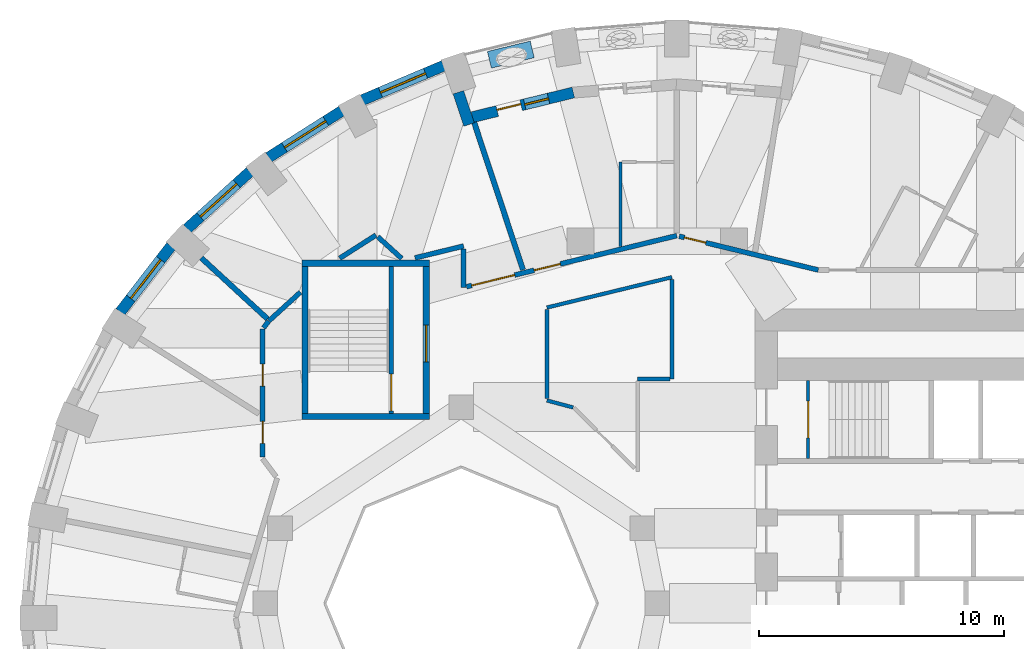
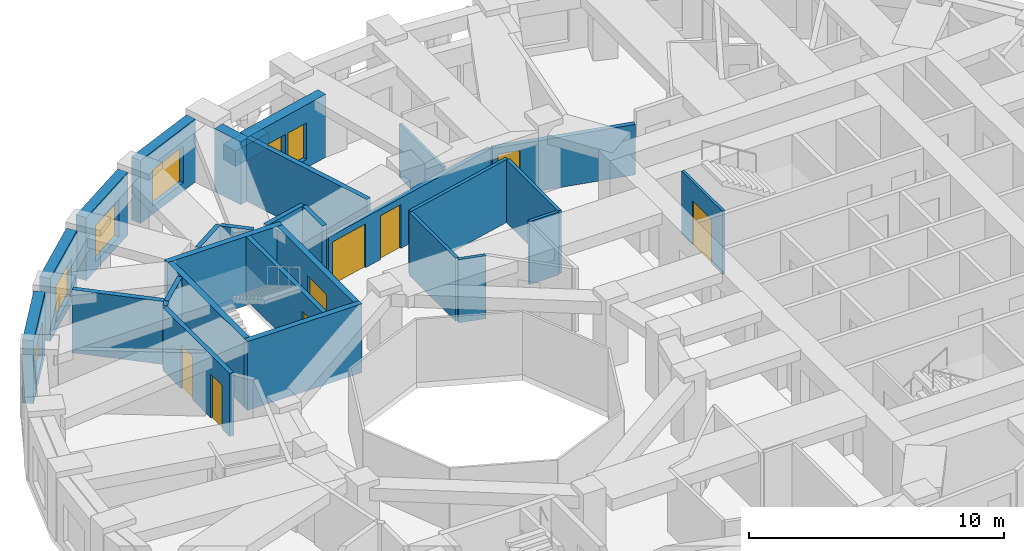
# One storey, part 7 of 12: 30 walls, 9 doors, 5 windows, 14 openings.
"""IFC4 building model written with IfcOpenShell, lengths in metres."""

from ifc_helpers import new_model, si_unit, direction, frame, frame_2d, origin, place, context, subcontext, project, spatial, rectangle, extrude, material, layer, layer_set, constituent, constituent_set, type_object, element, fill, save


model = new_model("IFC4")

# Units and contexts
model_context = context("Model", 3, precision=1e-05, world=origin(), true_north=direction((0.0, 1.0)))
body_context = subcontext(model_context, "Body", "Model", "MODEL_VIEW")
ifc_project = project(units=[si_unit("LENGTHUNIT", "METRE"), si_unit("AREAUNIT", "SQUARE_METRE"), si_unit("VOLUMEUNIT", "CUBIC_METRE"), si_unit("PLANEANGLEUNIT", "RADIAN"), si_unit("MASSUNIT", "GRAM", prefix="KILO")], contexts=[model_context])

# Site, building, storey
site_placement = place(None, origin())
site = spatial("IfcSite", under=ifc_project, at=site_placement, CompositionType="ELEMENT")
building_placement = place(site_placement, origin())
building = spatial("IfcBuilding", under=site, at=building_placement, Name="Taillehof Tower", CompositionType="ELEMENT")
storey_placement = place(building_placement, frame((0.0, 0.0, 92.199951171875)))
storey = spatial("IfcBuildingStorey", under=building, at=storey_placement, Name="L25", CompositionType="ELEMENT", Elevation=92.199951171875)

# Wall, opening, window
ifc_material_1 = material(Name="Brick masonry", Category="masonry")
ifc_layer_1 = layer(ifc_material_1, 0.449951171875)
ifc_layer_set_1 = layer_set([ifc_layer_1], Name="Brick infill wall 450")
wall_type_1 = type_object("IfcWallType", Name="Brick infill wall 450", PredefinedType="SOLIDWALL", material=ifc_layer_set_1)
wall_1_placement = place(storey_placement, frame((-8.718017578125, 21.93359375, 0.0), z_axis=(0.0, 0.0, 1.0), x_axis=(-0.920879975612, -0.389846213932, 0.0)))
wall_1 = element("IfcWall", 1, at=wall_1_placement, inside=storey, type_object=wall_type_1, Name="Brick wall L25 bay 12", PredefinedType="SOLIDWALL", context=body_context, shape_type="SweptSolid", body=[
    extrude(rectangle(XDim=3.591552734375, YDim=0.449951171875, at=frame_2d((1.7958984375, 0.0))), origin(), (0.0, 0.0, 1.0), 3.02001953125),
])
opening_1_placement = place(wall_1_placement, frame((0.795654296875, 0.0, 0.39990234375)))
opening_1 = element("IfcOpeningElement", 2, at=opening_1_placement, cuts=wall_1, Name="Opening W2", PredefinedType="OPENING", context=body_context, shape_type="SweptSolid", body=[
    extrude(rectangle(XDim=2.0, YDim=1.75, at=frame_2d((1.0, 0.875))), frame((0.0, 0.23486328125, 0.0), z_axis=(0.0, -1.0, 0.0), x_axis=(1.0, 0.0, 0.0)), (0.0, 0.0, 1.0), 0.469970703125),
])
ifc_material_2 = material(Name="Aluminium window frame with clear double glazing", Category="aluminium")
window_type_1 = type_object("IfcWindowType", Name="Deep-set window 2000x1750", PartitioningType="SINGLE_PANEL", PredefinedType="WINDOW", material=ifc_material_2)
window_1_placement = place(opening_1_placement, origin())
window_1 = element("IfcWindow", 3, at=window_1_placement, inside=storey, type_object=window_type_1, Name="W2", OverallHeight=1.75, OverallWidth=2.0, PartitioningType="SINGLE_PANEL", PredefinedType="WINDOW", context=body_context, shape_type="SweptSolid", body=[
    extrude(rectangle(XDim=2.0, YDim=1.75, at=frame_2d((1.0, 0.875))), frame((0.0, 0.034912109375, 0.0), z_axis=(0.0, -1.0, 0.0), x_axis=(1.0, 0.0, 0.0)), (0.0, 0.0, 1.0), 0.06005859375),
])
fill(opening_1, window_1)

wall_2_placement = place(storey_placement, frame((-12.87548828125, 20.087158203125, 0.0), z_axis=(0.0, 0.0, 1.0), x_axis=(-0.843860651879, -0.536562391722, 0.0)))
wall_2 = element("IfcWall", 4, at=wall_2_placement, inside=storey, type_object=wall_type_1, Name="Brick wall L25 bay 13", PredefinedType="SOLIDWALL", context=body_context, shape_type="SweptSolid", body=[
    extrude(rectangle(XDim=3.5322265625, YDim=0.449951171875, at=frame_2d((1.76611328125, 0.0))), origin(), (0.0, 0.0, 1.0), 3.02001953125),
])
opening_2_placement = place(wall_2_placement, frame((0.76611328125, 0.0, 0.39990234375)))
opening_2 = element("IfcOpeningElement", 5, at=opening_2_placement, cuts=wall_2, Name="Opening W2", PredefinedType="OPENING", context=body_context, shape_type="SweptSolid", body=[
    extrude(rectangle(XDim=2.0, YDim=1.75, at=frame_2d((1.0, 0.875))), frame((0.0, 0.23486328125, 0.0), z_axis=(0.0, -1.0, 0.0), x_axis=(1.0, 0.0, 0.0)), (0.0, 0.0, 1.0), 0.469970703125),
])
window_2_placement = place(opening_2_placement, origin())
window_2 = element("IfcWindow", 6, at=window_2_placement, inside=storey, type_object=window_type_1, Name="W2", OverallHeight=1.75, OverallWidth=2.0, PartitioningType="SINGLE_PANEL", PredefinedType="WINDOW", context=body_context, shape_type="SweptSolid", body=[
    extrude(rectangle(XDim=2.0, YDim=1.75, at=frame_2d((1.0, 0.875))), frame((0.0, 0.034912109375, 0.0), z_axis=(0.0, -1.0, 0.0), x_axis=(1.0, 0.0, 0.0)), (0.0, 0.0, 1.0), 0.06005859375),
])
fill(opening_2, window_2)

wall_3_placement = place(storey_placement, frame((-16.61962890625, 17.609619140625, 0.0), z_axis=(0.0, 0.0, 1.0), x_axis=(-0.74032902847, -0.672244694739, 0.0)))
wall_3 = element("IfcWall", 7, at=wall_3_placement, inside=storey, type_object=wall_type_1, Name="Brick wall L25 bay 14", PredefinedType="SOLIDWALL", context=body_context, shape_type="SweptSolid", body=[
    extrude(rectangle(XDim=3.4638671875, YDim=0.449951171875, at=frame_2d((1.73193359375, 0.0))), origin(), (0.0, 0.0, 1.0), 3.02001953125),
])
opening_3_placement = place(wall_3_placement, frame((0.73193359375, 0.0, 0.39990234375)))
opening_3 = element("IfcOpeningElement", 8, at=opening_3_placement, cuts=wall_3, Name="Opening W2", PredefinedType="OPENING", context=body_context, shape_type="SweptSolid", body=[
    extrude(rectangle(XDim=2.0, YDim=1.75, at=frame_2d((1.0, 0.875))), frame((0.0, 0.23486328125, 0.0), z_axis=(0.0, -1.0, 0.0), x_axis=(1.0, 0.0, 0.0)), (0.0, 0.0, 1.0), 0.469970703125),
])
window_3_placement = place(opening_3_placement, origin())
window_3 = element("IfcWindow", 9, at=window_3_placement, inside=storey, type_object=window_type_1, Name="W2", OverallHeight=1.75, OverallWidth=2.0, PartitioningType="SINGLE_PANEL", PredefinedType="WINDOW", context=body_context, shape_type="SweptSolid", body=[
    extrude(rectangle(XDim=2.0, YDim=1.75, at=frame_2d((1.0, 0.875))), frame((0.0, 0.034912109375, 0.0), z_axis=(0.0, -1.0, 0.0), x_axis=(1.0, 0.0, 0.0)), (0.0, 0.0, 1.0), 0.06005859375),
])
fill(opening_3, window_3)

wall_4_placement = place(storey_placement, frame((-19.835205078125, 14.575439453125, 0.0), z_axis=(0.0, 0.0, 1.0), x_axis=(-0.610693945156, -0.791866721961, 0.0)))
wall_4 = element("IfcWall", 10, at=wall_4_placement, inside=storey, type_object=wall_type_1, Name="Brick wall L25 bay 15", PredefinedType="SOLIDWALL", context=body_context, shape_type="SweptSolid", body=[
    extrude(rectangle(XDim=3.39453125, YDim=0.449951171875, at=frame_2d((1.697265625, 0.0))), origin(), (0.0, 0.0, 1.0), 3.02001953125),
])
opening_4_placement = place(wall_4_placement, frame((0.697265625, 0.0, 0.39990234375)))
opening_4 = element("IfcOpeningElement", 11, at=opening_4_placement, cuts=wall_4, Name="Opening W2", PredefinedType="OPENING", context=body_context, shape_type="SweptSolid", body=[
    extrude(rectangle(XDim=2.0, YDim=1.75, at=frame_2d((1.0, 0.875))), frame((0.0, 0.23486328125, 0.0), z_axis=(0.0, -1.0, 0.0), x_axis=(1.0, 0.0, 0.0)), (0.0, 0.0, 1.0), 0.469970703125),
])
window_4_placement = place(opening_4_placement, origin())
window_4 = element("IfcWindow", 12, at=window_4_placement, inside=storey, type_object=window_type_1, Name="W2", OverallHeight=1.75, OverallWidth=2.0, PartitioningType="SINGLE_PANEL", PredefinedType="WINDOW", context=body_context, shape_type="SweptSolid", body=[
    extrude(rectangle(XDim=2.0, YDim=1.75, at=frame_2d((1.0, 0.875))), frame((0.0, 0.034912109375, 0.0), z_axis=(0.0, -1.0, 0.0), x_axis=(1.0, 0.0, 0.0)), (0.0, 0.0, 1.0), 0.06005859375),
])
fill(opening_4, window_4)

# Wall
wall_5_placement = place(storey_placement, frame((-8.1142578125, 20.853271484375, 0.0), z_axis=(0.0, 0.0, 1.0), x_axis=(0.314488854508, -0.949261165534, 0.0)))
element("IfcWall", 13, at=wall_5_placement, inside=storey, type_object=wall_type_1, Name="Brick reveal L25 pocket 2", PredefinedType="SOLIDWALL", context=body_context, shape_type="SweptSolid", body=[
    extrude(rectangle(XDim=1.390380859375, YDim=0.449951171875, at=frame_2d((0.6953125, 0.0))), origin(), (0.0, 0.0, 1.0), 3.02001953125),
])

# Wall, openings, door, window
wall_6_placement = place(storey_placement, frame((-3.419921875, 20.841064453125, 0.0), z_axis=(0.0, 0.0, 1.0), x_axis=(-0.971511611373, -0.23699195971, 0.0)))
wall_6 = element("IfcWall", 14, at=wall_6_placement, inside=storey, type_object=wall_type_1, Name="Brick wall L25 pocket bay 11", PredefinedType="SOLIDWALL", context=body_context, shape_type="SweptSolid", body=[
    extrude(rectangle(XDim=4.2412109375, YDim=0.449951171875, at=frame_2d((2.12060546875, 0.0))), origin(), (0.0, 0.0, 1.0), 3.02001953125),
])
opening_5_placement = place(wall_6_placement, frame((1.04541015625, 0.0, 0.39990234375)))
opening_5 = element("IfcOpeningElement", 15, at=opening_5_placement, cuts=wall_6, Name="Opening W5", PredefinedType="OPENING", context=body_context, shape_type="SweptSolid", body=[
    extrude(rectangle(XDim=1.0, YDim=1.75, at=frame_2d((0.5, 0.875))), frame((0.0, 0.23486328125, 0.0), z_axis=(0.0, -1.0, 0.0), x_axis=(1.0, 0.0, 0.0)), (0.0, 0.0, 1.0), 0.469970703125),
])
opening_6_placement = place(wall_6_placement, frame((2.195556640625, 0.0, 0.0)))
opening_6 = element("IfcOpeningElement", 16, at=opening_6_placement, cuts=wall_6, Name="Opening D2596", PredefinedType="OPENING", context=body_context, shape_type="SweptSolid", body=[
    extrude(rectangle(XDim=1.0, YDim=2.14990234375, at=frame_2d((0.5, 1.074951171875))), frame((0.0, 0.23486328125, 0.0), z_axis=(0.0, -1.0, 0.0), x_axis=(1.0, 0.0, 0.0)), (0.0, 0.0, 1.0), 0.469970703125),
])
ifc_material_3 = material(Name="Aluminium door frame with clear double glazing", Category="aluminium")
door_type_1 = type_object("IfcDoorType", Name="Balcony door 1000x2150", OperationType="SINGLE_SWING_RIGHT", PredefinedType="DOOR", material=ifc_material_3)
door_1_placement = place(opening_6_placement, frame((1.0, 0.0, 0.0), z_axis=(0.0, 0.0, 1.0), x_axis=(-1.0, 0.0, 0.0)))
door_1 = element("IfcDoor", 17, at=door_1_placement, inside=storey, type_object=door_type_1, Name="Balcony door L25 bay 11", OperationType="SINGLE_SWING_LEFT", OverallHeight=2.14990234375, OverallWidth=1.0, PredefinedType="DOOR", context=body_context, shape_type="SweptSolid", body=[
    extrude(rectangle(XDim=1.0, YDim=2.14990234375, at=frame_2d((0.5, 1.074951171875))), frame((0.0, 0.0751953125, 0.0), z_axis=(0.0, -1.0, 0.0), x_axis=(1.0, 0.0, 0.0)), (0.0, 0.0, 1.0), 0.050048828125),
])
fill(opening_6, door_1)
ifc_material_4 = material(Name="Aluminium window frame with clear double glazing", Category="aluminium")
window_type_2 = type_object("IfcWindowType", Name="Fixed window 1000x1750", PartitioningType="SINGLE_PANEL", PredefinedType="WINDOW", material=ifc_material_4)
window_5_placement = place(opening_5_placement, origin())
window_5 = element("IfcWindow", 18, at=window_5_placement, inside=storey, type_object=window_type_2, Name="W5", OverallHeight=1.75, OverallWidth=1.0, PartitioningType="SINGLE_PANEL", PredefinedType="WINDOW", context=body_context, shape_type="SweptSolid", body=[
    extrude(rectangle(XDim=1.0, YDim=1.75, at=frame_2d((0.5, 0.875))), frame((0.0, 0.034912109375, 0.0), z_axis=(0.0, -1.0, 0.0), x_axis=(1.0, 0.0, 0.0)), (0.0, 0.0, 1.0), 0.06005859375),
])
fill(opening_5, window_5)

# Wall, openings, doors
ifc_material_5 = material(Name="Gypsum board on steel studs, two layers each side", Category="steel")
ifc_layer_2 = layer(ifc_material_5, 0.199951171875)
ifc_layer_set_2 = layer_set([ifc_layer_2], Name="Compartment wall corridor 200")
wall_type_2 = type_object("IfcWallType", Name="Compartment wall corridor 200", PredefinedType="PARTITIONING", material=ifc_layer_set_2)
wall_7_placement = place(storey_placement, frame((-16.10009765625, 5.9599609375, 0.0), z_axis=(0.0, 0.0, 1.0), x_axis=(0.0, 1.0, 0.0)))
wall_7 = element("IfcWall", 19, at=wall_7_placement, inside=storey, type_object=wall_type_2, Name="Compartment wall", PredefinedType="PARTITIONING", context=body_context, shape_type="SweptSolid", body=[
    extrude(rectangle(XDim=5.232177734375, YDim=0.199951171875, at=frame_2d((2.6162109375, 0.0))), origin(), (0.0, 0.0, 1.0), 3.02001953125),
])
opening_7_placement = place(wall_7_placement, frame((2.896728515625, 0.0, 0.0)))
opening_7 = element("IfcOpeningElement", 20, at=opening_7_placement, cuts=wall_7, Name="Opening D2548", PredefinedType="OPENING", context=body_context, shape_type="SweptSolid", body=[
    extrude(rectangle(XDim=0.89990234375, YDim=2.10009765625, at=frame_2d((0.449951171875, 1.050048828125))), frame((0.0, 0.10986328125, 0.0), z_axis=(0.0, -1.0, 0.0), x_axis=(1.0, 0.0, 0.0)), (0.0, 0.0, 1.0), 0.219970703125),
])
opening_8_placement = place(wall_7_placement, frame((0.567626953125, 0.0, 0.0)))
opening_8 = element("IfcOpeningElement", 21, at=opening_8_placement, cuts=wall_7, Name="Opening D2549", PredefinedType="OPENING", context=body_context, shape_type="SweptSolid", body=[
    extrude(rectangle(XDim=0.89990234375, YDim=2.10009765625, at=frame_2d((0.449951171875, 1.050048828125))), frame((0.0, 0.10986328125, 0.0), z_axis=(0.0, -1.0, 0.0), x_axis=(1.0, 0.0, 0.0)), (0.0, 0.0, 1.0), 0.219970703125),
])
ifc_material_6 = material(Name="Timber door leaf in steel frame", Category="steel")
door_type_2 = type_object("IfcDoorType", Name="Service room door EI 30 900 x 2100", OperationType="SINGLE_SWING_LEFT", PredefinedType="DOOR", material=ifc_material_6)
door_2_placement = place(opening_7_placement, origin())
door_2 = element("IfcDoor", 22, at=door_2_placement, inside=storey, type_object=door_type_2, Name="D2548", OperationType="SINGLE_SWING_LEFT", OverallHeight=2.10009765625, OverallWidth=0.89990234375, PredefinedType="DOOR", context=body_context, shape_type="SweptSolid", body=[
    extrude(rectangle(XDim=0.89990234375, YDim=2.10009765625, at=frame_2d((0.449951171875, 1.050048828125))), frame((0.0, 0.02490234375, 0.0), z_axis=(0.0, -1.0, 0.0), x_axis=(1.0, 0.0, 0.0)), (0.0, 0.0, 1.0), 0.050048828125),
])
fill(opening_7, door_2)
door_3_placement = place(opening_8_placement, origin())
door_3 = element("IfcDoor", 23, at=door_3_placement, inside=storey, type_object=door_type_2, Name="D2549", OperationType="SINGLE_SWING_RIGHT", OverallHeight=2.10009765625, OverallWidth=0.89990234375, PredefinedType="DOOR", context=body_context, shape_type="SweptSolid", body=[
    extrude(rectangle(XDim=0.89990234375, YDim=2.10009765625, at=frame_2d((0.449951171875, 1.050048828125))), frame((0.0, 0.02490234375, 0.0), z_axis=(0.0, -1.0, 0.0), x_axis=(1.0, 0.0, 0.0)), (0.0, 0.0, 1.0), 0.050048828125),
])
fill(opening_8, door_3)

# Walls
wall_8_placement = place(storey_placement, frame((-16.0634765625, 11.23974609375, 0.0), z_axis=(0.0, 0.0, 1.0), x_axis=(0.609744747854, 0.792597844096, 0.0)))
element("IfcWall", 24, at=wall_8_placement, inside=storey, type_object=wall_type_2, Name="Compartment wall", PredefinedType="PARTITIONING", context=body_context, shape_type="SweptSolid", body=[
    extrude(rectangle(XDim=0.34716796875, YDim=0.199951171875, at=frame_2d((0.173583984375, 0.0))), origin(), (0.0, 0.0, 1.0), 3.02001953125),
])
wall_9_placement = place(storey_placement, frame((-15.8369140625, 11.5283203125, 0.0), z_axis=(0.0, 0.0, 1.0), x_axis=(0.739402681643, 0.673263450946, 0.0)))
element("IfcWall", 25, at=wall_9_placement, inside=storey, type_object=wall_type_2, Name="Compartment wall", PredefinedType="PARTITIONING", context=body_context, shape_type="SweptSolid", body=[
    extrude(rectangle(XDim=1.7275390625, YDim=0.199951171875, at=frame_2d((0.86376953125, 0.0))), origin(), (0.0, 0.0, 1.0), 3.02001953125),
])
wall_10_placement = place(storey_placement, frame((-12.957275390625, 14.0771484375, 0.0), z_axis=(0.0, 0.0, 1.0), x_axis=(0.843226410818, 0.537558573645, 0.0)))
element("IfcWall", 26, at=wall_10_placement, inside=storey, type_object=wall_type_2, Name="Compartment wall", PredefinedType="PARTITIONING", context=body_context, shape_type="SweptSolid", body=[
    extrude(rectangle(XDim=1.757080078125, YDim=0.199951171875, at=frame_2d((0.87841796875, 0.0))), origin(), (0.0, 0.0, 1.0), 3.02001953125),
])
wall_11_placement = place(storey_placement, frame((-11.401123046875, 14.95458984375, 0.0), z_axis=(0.0, 0.0, 1.0), x_axis=(0.740594498135, -0.671952222507, 0.0)))
element("IfcWall", 27, at=wall_11_placement, inside=storey, type_object=wall_type_2, Name="Compartment wall", PredefinedType="PARTITIONING", context=body_context, shape_type="SweptSolid", body=[
    extrude(rectangle(XDim=1.31591796875, YDim=0.199951171875, at=frame_2d((0.657958984375, 0.0))), origin(), (0.0, 0.0, 1.0), 3.02001953125),
])
wall_12_placement = place(storey_placement, frame((-9.883544921875, 14.092041015625, 0.0), z_axis=(0.0, 0.0, 1.0), x_axis=(0.971512281799, 0.236989211388, 0.0)))
element("IfcWall", 28, at=wall_12_placement, inside=storey, type_object=wall_type_2, Name="Compartment wall", PredefinedType="PARTITIONING", context=body_context, shape_type="SweptSolid", body=[
    extrude(rectangle(XDim=2.041748046875, YDim=0.199951171875, at=frame_2d((1.02099609375, 0.0))), origin(), (0.0, 0.0, 1.0), 3.02001953125),
])
wall_13_placement = place(storey_placement, frame((-7.89990234375, 14.455810546875, 0.0), z_axis=(0.0, 0.0, 1.0), x_axis=(0.0, -1.0, 0.0)))
element("IfcWall", 29, at=wall_13_placement, inside=storey, type_object=wall_type_2, Name="Compartment wall", PredefinedType="PARTITIONING", context=body_context, shape_type="SweptSolid", body=[
    extrude(rectangle(XDim=1.5673828125, YDim=0.199951171875, at=frame_2d((0.78369140625, 0.0))), origin(), (0.0, 0.0, 1.0), 3.02001953125),
])

# Wall, openings, doors
wall_14_placement = place(storey_placement, frame((-7.78271484375, 12.916259765625, 0.0), z_axis=(0.0, 0.0, 1.0), x_axis=(0.971770455305, 0.235928341232, 0.0)))
wall_14 = element("IfcWall", 30, at=wall_14_placement, inside=storey, type_object=wall_type_2, Name="Compartment wall", PredefinedType="PARTITIONING", context=body_context, shape_type="SweptSolid", body=[
    extrude(rectangle(XDim=8.83203125, YDim=0.199951171875, at=frame_2d((4.416015625, 0.0))), origin(), (0.0, 0.0, 1.0), 2.420166015625),
])
opening_9_placement = place(wall_14_placement, frame((2.840087890625, 0.0, 0.0)))
opening_9 = element("IfcOpeningElement", 31, at=opening_9_placement, cuts=wall_14, Name="Opening D2545", PredefinedType="OPENING", context=body_context, shape_type="SweptSolid", body=[
    extrude(rectangle(XDim=1.10009765625, YDim=2.10009765625, at=frame_2d((0.550048828125, 1.050048828125))), frame((0.0, 0.10986328125, 0.0), z_axis=(0.0, -1.0, 0.0), x_axis=(1.0, 0.0, 0.0)), (0.0, 0.0, 1.0), 0.219970703125),
])
opening_10_placement = place(wall_14_placement, frame((0.219970703125, 0.0, 0.0)))
opening_10 = element("IfcOpeningElement", 32, at=opening_10_placement, cuts=wall_14, Name="Opening D2547", PredefinedType="OPENING", context=body_context, shape_type="SweptSolid", body=[
    extrude(rectangle(XDim=1.800048828125, YDim=2.10009765625, at=frame_2d((0.89990234375, 1.050048828125))), frame((0.0, 0.10986328125, 0.0), z_axis=(0.0, -1.0, 0.0), x_axis=(1.0, 0.0, 0.0)), (0.0, 0.0, 1.0), 0.219970703125),
])
ifc_material_7 = material(Name="Timber door leaf in steel frame", Category="steel")
door_type_3 = type_object("IfcDoorType", Name="Accessible guest room door EI 30 1100 x 2100", OperationType="SINGLE_SWING_LEFT", PredefinedType="DOOR", material=ifc_material_7)
door_4_placement = place(opening_9_placement, origin())
door_4 = element("IfcDoor", 33, at=door_4_placement, inside=storey, type_object=door_type_3, Name="D2545", OperationType="SINGLE_SWING_LEFT", OverallHeight=2.10009765625, OverallWidth=1.10009765625, PredefinedType="DOOR", context=body_context, shape_type="SweptSolid", body=[
    extrude(rectangle(XDim=1.10009765625, YDim=2.10009765625, at=frame_2d((0.550048828125, 1.050048828125))), frame((0.0, 0.02490234375, 0.0), z_axis=(0.0, -1.0, 0.0), x_axis=(1.0, 0.0, 0.0)), (0.0, 0.0, 1.0), 0.050048828125),
])
fill(opening_9, door_4)
ifc_material_8 = material(Name="Timber door leaf in steel frame", Category="steel")
door_type_4 = type_object("IfcDoorType", Name="Lounge and meeting room double door EI 30 1800 x 2100", OperationType="SINGLE_SWING_LEFT", PredefinedType="DOOR", material=ifc_material_8)
door_5_placement = place(opening_10_placement, origin())
door_5 = element("IfcDoor", 34, at=door_5_placement, inside=storey, type_object=door_type_4, Name="D2547", OperationType="DOUBLE_DOOR_SINGLE_SWING", OverallHeight=2.10009765625, OverallWidth=1.800048828125, PredefinedType="DOOR", context=body_context, shape_type="SweptSolid", body=[
    extrude(rectangle(XDim=1.800048828125, YDim=2.10009765625, at=frame_2d((0.89990234375, 1.050048828125))), frame((0.0, 0.02490234375, 0.0), z_axis=(0.0, -1.0, 0.0), x_axis=(1.0, 0.0, 0.0)), (0.0, 0.0, 1.0), 0.050048828125),
])
fill(opening_10, door_5)

# Wall, opening, door
wall_15_placement = place(storey_placement, frame((0.897705078125, 14.976806640625, 0.0), z_axis=(0.0, 0.0, 1.0), x_axis=(0.971773711573, -0.235914928515, 0.0)))
wall_15 = element("IfcWall", 35, at=wall_15_placement, inside=storey, type_object=wall_type_2, Name="Compartment wall", PredefinedType="PARTITIONING", context=body_context, shape_type="SweptSolid", body=[
    extrude(rectangle(XDim=5.835693359375, YDim=0.199951171875, at=frame_2d((2.91796875, 0.0))), origin(), (0.0, 0.0, 1.0), 2.420166015625),
])
opening_11_placement = place(wall_15_placement, frame((0.219970703125, 0.0, 0.0)))
opening_11 = element("IfcOpeningElement", 36, at=opening_11_placement, cuts=wall_15, Name="Opening D2544", PredefinedType="OPENING", context=body_context, shape_type="SweptSolid", body=[
    extrude(rectangle(XDim=0.89990234375, YDim=2.10009765625, at=frame_2d((0.449951171875, 1.050048828125))), frame((0.0, 0.10986328125, 0.0), z_axis=(0.0, -1.0, 0.0), x_axis=(1.0, 0.0, 0.0)), (0.0, 0.0, 1.0), 0.219970703125),
])
door_6_placement = place(opening_11_placement, origin())
door_6 = element("IfcDoor", 37, at=door_6_placement, inside=storey, type_object=door_type_2, Name="D2544", OperationType="SINGLE_SWING_LEFT", OverallHeight=2.10009765625, OverallWidth=0.89990234375, PredefinedType="DOOR", context=body_context, shape_type="SweptSolid", body=[
    extrude(rectangle(XDim=0.89990234375, YDim=2.10009765625, at=frame_2d((0.449951171875, 1.050048828125))), frame((0.0, 0.02490234375, 0.0), z_axis=(0.0, -1.0, 0.0), x_axis=(1.0, 0.0, 0.0)), (0.0, 0.0, 1.0), 0.050048828125),
])
fill(opening_11, door_6)

# Walls
ifc_material_9 = material(Name="Gypsum board on double steel studs with mineral wool", Category="steel")
ifc_layer_3 = layer(ifc_material_9, 0.219970703125)
ifc_layer_set_3 = layer_set([ifc_layer_3], Name="Compartment wall guest room 220")
wall_type_3 = type_object("IfcWallType", Name="Compartment wall guest room 220", PredefinedType="PARTITIONING", material=ifc_layer_set_3)
wall_16_placement = place(storey_placement, frame((-7.46923828125, 19.621826171875, 0.0), z_axis=(0.0, 0.0, 1.0), x_axis=(0.314576080141, -0.94923226336, 0.0)))
element("IfcWall", 38, at=wall_16_placement, inside=storey, type_object=wall_type_3, Name="Compartment wall", PredefinedType="PARTITIONING", context=body_context, shape_type="SweptSolid", body=[
    extrude(rectangle(XDim=6.343017578125, YDim=0.219970703125, at=frame_2d((3.17138671875, 0.0))), origin(), (0.0, 0.0, 1.0), 3.02001953125),
])
wall_17_placement = place(storey_placement, frame((-18.60400390625, 14.09375, 0.0), z_axis=(0.0, 0.0, 1.0), x_axis=(0.73529495628, -0.677747244383, 0.0)))
element("IfcWall", 39, at=wall_17_placement, inside=storey, type_object=wall_type_3, Name="Compartment wall", PredefinedType="PARTITIONING", context=body_context, shape_type="SweptSolid", body=[
    extrude(rectangle(XDim=3.673828125, YDim=0.219970703125, at=frame_2d((1.8369140625, 0.0))), origin(), (0.0, 0.0, 1.0), 3.02001953125),
])
ifc_material_10 = material(Name="Gypsum board on steel studs, two layers each side", Category="steel")
ifc_layer_4 = layer(ifc_material_10, 0.14990234375)
ifc_layer_set_4 = layer_set([ifc_layer_4], Name="Compartment wall service room 150")
wall_type_4 = type_object("IfcWallType", Name="Compartment wall service room 150", PredefinedType="PARTITIONING", material=ifc_layer_set_4)
wall_18_placement = place(storey_placement, frame((-4.5, 12.0673828125, 0.0), z_axis=(0.0, 0.0, 1.0), x_axis=(0.971799407652, 0.23580905684, 0.0)))
element("IfcWall", 40, at=wall_18_placement, inside=storey, type_object=wall_type_4, Name="Compartment wall", PredefinedType="PARTITIONING", context=body_context, shape_type="SweptSolid", body=[
    extrude(rectangle(XDim=5.248046875, YDim=0.14990234375, at=frame_2d((2.6240234375, 0.0))), origin(), (0.0, 0.0, 1.0), 3.02001953125),
])
wall_19_placement = place(storey_placement, frame((0.60009765625, 13.204833984375, 0.0), z_axis=(0.0, 0.0, 1.0), x_axis=(0.0, -1.0, 0.0)))
element("IfcWall", 41, at=wall_19_placement, inside=storey, type_object=wall_type_4, Name="Compartment wall", PredefinedType="PARTITIONING", context=body_context, shape_type="SweptSolid", body=[
    extrude(rectangle(XDim=4.054931640625, YDim=0.14990234375, at=frame_2d((2.02734375, 0.0))), origin(), (0.0, 0.0, 1.0), 3.02001953125),
])
wall_20_placement = place(storey_placement, frame((0.52001953125, 9.14990234375, 0.0), z_axis=(0.0, 0.0, 1.0), x_axis=(-1.0, 0.0, 0.0)))
element("IfcWall", 42, at=wall_20_placement, inside=storey, type_object=wall_type_4, Name="Compartment wall", PredefinedType="PARTITIONING", context=body_context, shape_type="SweptSolid", body=[
    extrude(rectangle(XDim=1.320068359375, YDim=0.14990234375, at=frame_2d((0.66015625, 0.0))), origin(), (0.0, 0.0, 1.0), 3.02001953125),
])
wall_21_placement = place(storey_placement, frame((-3.431640625, 7.98974609375, 0.0), z_axis=(0.0, 0.0, 1.0), x_axis=(-0.965900750832, 0.258912609855, 0.0)))
element("IfcWall", 43, at=wall_21_placement, inside=storey, type_object=wall_type_4, Name="Compartment wall", PredefinedType="PARTITIONING", context=body_context, shape_type="SweptSolid", body=[
    extrude(rectangle(XDim=1.10595703125, YDim=0.14990234375, at=frame_2d((0.552978515625, 0.0))), origin(), (0.0, 0.0, 1.0), 3.02001953125),
])
wall_22_placement = place(storey_placement, frame((-4.5, 8.356201171875, 0.0), z_axis=(0.0, 0.0, 1.0), x_axis=(0.0, 1.0, 0.0)))
element("IfcWall", 44, at=wall_22_placement, inside=storey, type_object=wall_type_4, Name="Compartment wall", PredefinedType="PARTITIONING", context=body_context, shape_type="SweptSolid", body=[
    extrude(rectangle(XDim=3.631103515625, YDim=0.14990234375, at=frame_2d((1.8154296875, 0.0))), origin(), (0.0, 0.0, 1.0), 3.02001953125),
])
ifc_material_11 = material(Name="Gypsum board on steel studs, moisture resistant", Category="steel")
ifc_layer_5 = layer(ifc_material_11, 0.1201171875)
ifc_layer_set_5 = layer_set([ifc_layer_5], Name="En-suite wall 120")
wall_type_5 = type_object("IfcWallType", Name="En-suite wall 120", PredefinedType="PARTITIONING", material=ifc_layer_set_5)
wall_23_placement = place(storey_placement, frame((-1.5, 14.564697265625, 0.0), z_axis=(0.0, 0.0, 1.0), x_axis=(0.0, 1.0, 0.0)))
element("IfcWall", 45, at=wall_23_placement, inside=storey, type_object=wall_type_5, Name="En-suite wall", PredefinedType="PARTITIONING", context=body_context, shape_type="SweptSolid", body=[
    extrude(rectangle(XDim=3.435302734375, YDim=0.1201171875, at=frame_2d((1.7177734375, 0.0))), origin(), (0.0, 0.0, 1.0), 2.570068359375),
])
ifc_material_12 = material(Name="Concrete C30/37 precast", Category="concrete")
ifc_constituent_1 = constituent(ifc_material_12, Name="Structure", Category="concrete")
ifc_material_13 = material(Name="Insulated lining")
ifc_constituent_2 = constituent(ifc_material_13, Name="Lining")
ifc_constituent_set = constituent_set(constituents=[ifc_constituent_1, ifc_constituent_2], Name="Planter trough 700x750")
wall_type_6 = type_object("IfcWallType", Name="Planter trough 700x750", PredefinedType="USERDEFINED", material=ifc_constituent_set)
wall_24_placement = place(storey_placement, frame((-5.098876953125, 22.6005859375, 0.0), z_axis=(0.0, 0.0, 1.0), x_axis=(-0.971654974133, -0.23640349245, 0.0)))
element("IfcWall", 46, at=wall_24_placement, inside=storey, type_object=wall_type_6, Name="Planter L25 bay 11", ObjectType="PLANTER", PredefinedType="USERDEFINED", context=body_context, shape_type="SweptSolid", body=[
    extrude(rectangle(XDim=1.800048828125, YDim=0.699951171875, at=frame_2d((0.89990234375, 0.0))), origin(), (0.0, 0.0, 1.0), 0.75),
])

# Wall, opening, door
ifc_material_14 = material(Name="Concrete C50/60", Category="concrete")
ifc_layer_6 = layer(ifc_material_14, 0.199951171875)
ifc_layer_set_6 = layer_set([ifc_layer_6], Name="Shaft wall C50/60 200")
wall_type_7 = type_object("IfcWallType", Name="Shaft wall C50/60 200", PredefinedType="SHEAR", material=ifc_layer_set_6)
wall_25_placement = place(storey_placement, frame((-10.85009765625, 7.75, 0.0), z_axis=(0.0, 0.0, 1.0), x_axis=(0.0, 1.0, 0.0)))
wall_25 = element("IfcWall", 47, at=wall_25_placement, inside=storey, type_object=wall_type_7, Name="Shaft wall SW", PredefinedType="SHEAR", context=body_context, shape_type="SweptSolid", body=[
    extrude(rectangle(XDim=6.0, YDim=0.199951171875, at=frame_2d((3.0, 0.0))), origin(), (0.0, 0.0, 1.0), 3.02001953125),
])
opening_12_placement = place(wall_25_placement, frame((0.10009765625, 0.0, 0.0)))
opening_12 = element("IfcOpeningElement", 48, at=opening_12_placement, cuts=wall_25, Name="Opening D2512", PredefinedType="OPENING", context=body_context, shape_type="SweptSolid", body=[
    extrude(rectangle(XDim=1.5, YDim=2.10009765625, at=frame_2d((0.75, 1.050048828125))), frame((0.0, 0.10986328125, 0.0), z_axis=(0.0, -1.0, 0.0), x_axis=(1.0, 0.0, 0.0)), (0.0, 0.0, 1.0), 0.219970703125),
])
ifc_material_15 = material(Name="Steel-faced fire door", Category="steel")
door_type_5 = type_object("IfcDoorType", Name="Stair door 1500x2100", OperationType="DOUBLE_DOOR_SINGLE_SWING", PredefinedType="DOOR", material=ifc_material_15)
door_7_placement = place(opening_12_placement, origin())
door_7 = element("IfcDoor", 49, at=door_7_placement, inside=storey, type_object=door_type_5, Name="Stair lobby door S3", OperationType="DOUBLE_DOOR_SINGLE_SWING", OverallHeight=2.10009765625, OverallWidth=1.5, PredefinedType="DOOR", context=body_context, shape_type="SweptSolid", body=[
    extrude(rectangle(XDim=1.5, YDim=2.10009765625, at=frame_2d((0.75, 1.050048828125))), frame((0.0, 0.02490234375, 0.0), z_axis=(0.0, -1.0, 0.0), x_axis=(1.0, 0.0, 0.0)), (0.0, 0.0, 1.0), 0.050048828125),
])
fill(opening_12, door_7)

ifc_material_16 = material(Name="Concrete C50/60", Category="concrete")
ifc_layer_7 = layer(ifc_material_16, 0.1201171875)
ifc_layer_set_7 = layer_set([ifc_layer_7], Name="Stair lobby wall C50/60 120")
wall_type_8 = type_object("IfcWallType", Name="Stair lobby wall C50/60 120", PredefinedType="SHEAR", material=ifc_layer_set_7)
wall_26_placement = place(storey_placement, frame((6.159912109375, 5.89990234375, 0.0), z_axis=(0.0, 0.0, 1.0), x_axis=(0.0, 1.0, 0.0)))
wall_26 = element("IfcWall", 50, at=wall_26_placement, inside=storey, type_object=wall_type_8, Name="Compartment wall SW", PredefinedType="SHEAR", context=body_context, shape_type="SweptSolid", body=[
    extrude(rectangle(XDim=3.2001953125, YDim=0.1201171875, at=frame_2d((1.60009765625, 0.0))), origin(), (0.0, 0.0, 1.0), 3.02001953125),
])
opening_13_placement = place(wall_26_placement, frame((0.85009765625, 0.0, 0.0)))
opening_13 = element("IfcOpeningElement", 51, at=opening_13_placement, cuts=wall_26, Name="Opening D2510", PredefinedType="OPENING", context=body_context, shape_type="SweptSolid", body=[
    extrude(rectangle(XDim=1.5, YDim=2.10009765625, at=frame_2d((0.75, 1.050048828125))), frame((0.0, 0.070068359375, 0.0), z_axis=(0.0, -1.0, 0.0), x_axis=(1.0, 0.0, 0.0)), (0.0, 0.0, 1.0), 0.14013671875),
])
door_8_placement = place(opening_13_placement, origin())
door_8 = element("IfcDoor", 52, at=door_8_placement, inside=storey, type_object=door_type_5, Name="Stair lobby door S1", OperationType="DOUBLE_DOOR_SINGLE_SWING", OverallHeight=2.10009765625, OverallWidth=1.5, PredefinedType="DOOR", context=body_context, shape_type="SweptSolid", body=[
    extrude(rectangle(XDim=1.5, YDim=2.10009765625, at=frame_2d((0.75, 1.050048828125))), frame((0.0, 0.02490234375, 0.0), z_axis=(0.0, -1.0, 0.0), x_axis=(1.0, 0.0, 0.0)), (0.0, 0.0, 1.0), 0.050048828125),
])
fill(opening_13, door_8)

# Wall
ifc_material_17 = material(Name="Concrete C50/60", Category="concrete")
ifc_layer_8 = layer(ifc_material_17, 0.25)
ifc_layer_set_8 = layer_set([ifc_layer_8], Name="Stair wall C50/60 250")
wall_type_9 = type_object("IfcWallType", Name="Stair wall C50/60 250", PredefinedType="SHEAR", material=ifc_layer_set_8)
wall_27_placement = place(storey_placement, frame((-14.375, 7.75, -0.280029296875), z_axis=(0.0, 0.0, 1.0), x_axis=(0.0, 1.0, 0.0)))
element("IfcWall", 53, at=wall_27_placement, inside=storey, type_object=wall_type_9, Name="Stair wall SC", PredefinedType="SHEAR", context=body_context, shape_type="SweptSolid", body=[
    extrude(rectangle(XDim=6.0, YDim=0.25, at=frame_2d((3.0, 0.0))), origin(), (0.0, 0.0, 1.0), 3.300048828125),
])

# Wall, opening, door
wall_28_placement = place(storey_placement, frame((-9.425048828125, 7.75, -0.280029296875), z_axis=(0.0, 0.0, 1.0), x_axis=(0.0, 1.0, 0.0)))
wall_28 = element("IfcWall", 54, at=wall_28_placement, inside=storey, type_object=wall_type_9, Name="Stair wall SC", PredefinedType="SHEAR", context=body_context, shape_type="SweptSolid", body=[
    extrude(rectangle(XDim=6.0, YDim=0.25, at=frame_2d((3.0, 0.0))), origin(), (0.0, 0.0, 1.0), 3.300048828125),
])
opening_14_placement = place(wall_28_placement, frame((2.10009765625, 0.0, 0.280029296875)))
opening_14 = element("IfcOpeningElement", 55, at=opening_14_placement, cuts=wall_28, Name="Opening D2519", PredefinedType="OPENING", context=body_context, shape_type="SweptSolid", body=[
    extrude(rectangle(XDim=1.5, YDim=2.10009765625, at=frame_2d((0.75, 1.050048828125))), frame((0.0, 0.135009765625, 0.0), z_axis=(0.0, -1.0, 0.0), x_axis=(1.0, 0.0, 0.0)), (0.0, 0.0, 1.0), 0.27001953125),
])
door_9_placement = place(opening_14_placement, origin())
door_9 = element("IfcDoor", 56, at=door_9_placement, inside=storey, type_object=door_type_5, Name="Stair door S3", OperationType="DOUBLE_DOOR_SINGLE_SWING", OverallHeight=2.10009765625, OverallWidth=1.5, PredefinedType="DOOR", context=body_context, shape_type="SweptSolid", body=[
    extrude(rectangle(XDim=1.5, YDim=2.10009765625, at=frame_2d((0.75, 1.050048828125))), frame((0.0, 0.02490234375, 0.0), z_axis=(0.0, -1.0, 0.0), x_axis=(1.0, 0.0, 0.0)), (0.0, 0.0, 1.0), 0.050048828125),
])
fill(opening_14, door_9)

# Walls
for number, where, z_axis, x_axis, name in (
    (57, (-14.5, 13.875, -0.280029296875), (0.0, 0.0, 1.0), (1.0, 0.0, 0.0), "Stair wall SC"),
    (58, (-14.5, 7.625, -0.280029296875), (0.0, 0.0, 1.0), (1.0, 0.0, 0.0), "Stair wall SC"),
):
    element("IfcWall", number, at=place(storey_placement, frame(where, z_axis=z_axis, x_axis=x_axis)), inside=storey, type_object=wall_type_9, Name=name, PredefinedType="SHEAR", context=body_context, shape_type="SweptSolid", body=[
        extrude(rectangle(XDim=5.199951171875, YDim=0.25, at=frame_2d((2.60009765625, 0.0))), origin(), (0.0, 0.0, 1.0), 3.300048828125),
    ])

save(model, "model.ifc")
